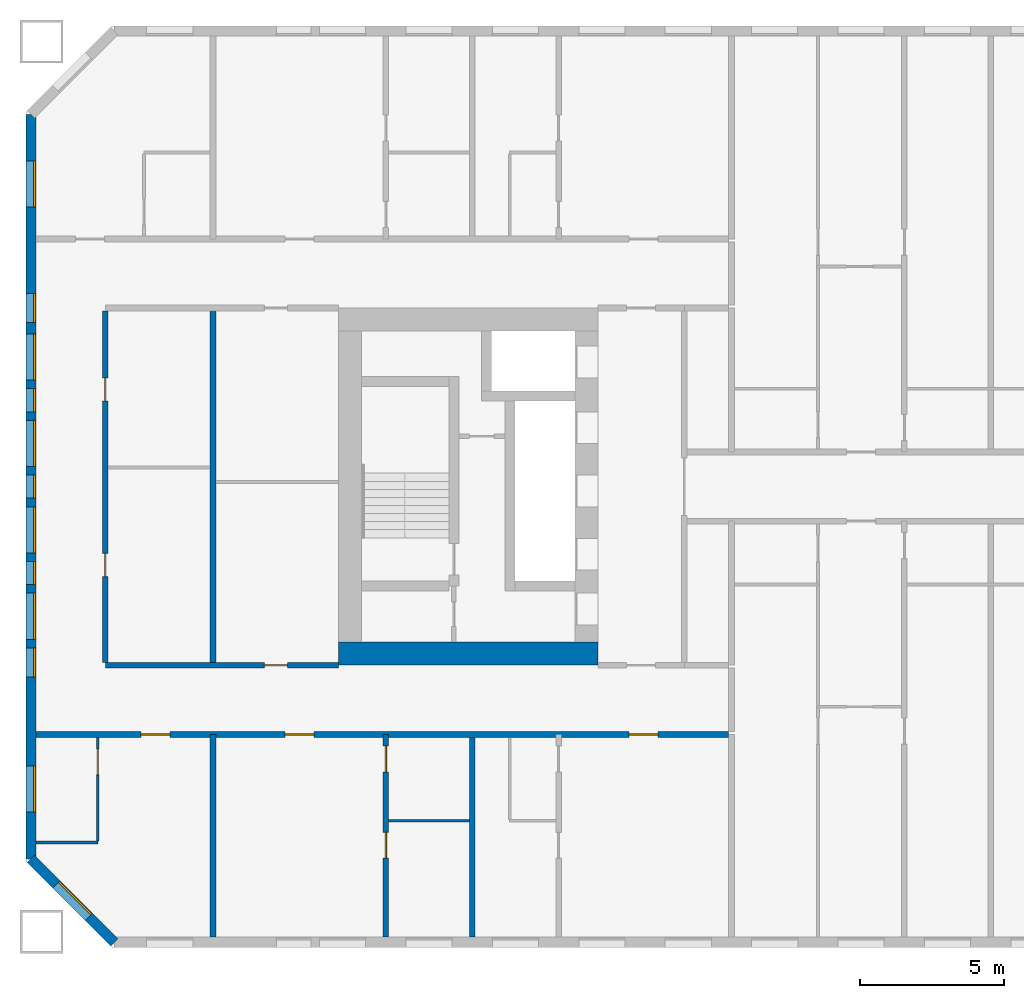
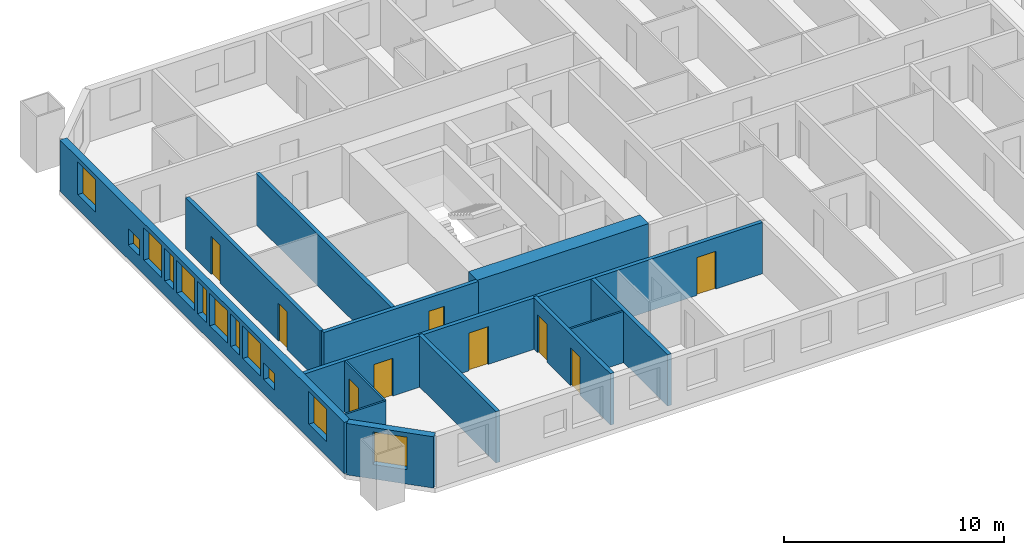
# One storey, part 2 of 17: 13 walls, 12 windows, 9 doors, 21 openings.
"""IFC4 building model written with IfcOpenShell, lengths in metres."""

from ifc_helpers import new_model, si_unit, direction, frame, frame_2d, origin, place, context, subcontext, project, spatial, rectangle, extrude, material, layer, layer_set, type_object, element, fill, save


model = new_model("IFC4")

# Units and contexts
model_context = context("Model", 3, precision=1e-05, world=origin(), true_north=direction((0.0, 1.0)))
body_context = subcontext(model_context, "Body", "Model", "MODEL_VIEW")
ifc_project = project(units=[si_unit("LENGTHUNIT", "METRE"), si_unit("AREAUNIT", "SQUARE_METRE"), si_unit("VOLUMEUNIT", "CUBIC_METRE"), si_unit("PLANEANGLEUNIT", "RADIAN"), si_unit("MASSUNIT", "GRAM", prefix="KILO")], contexts=[model_context])

# Site, building, storey
site_placement = place(None, origin())
site = spatial("IfcSite", under=ifc_project, at=site_placement, CompositionType="ELEMENT")
building_placement = place(site_placement, origin())
building = spatial("IfcBuilding", under=site, at=building_placement, Name="Tuart Gate Housing", CompositionType="ELEMENT")
storey_placement = place(building_placement, frame((0.0, 0.0, 47.39990234375)))
storey = spatial("IfcBuildingStorey", under=building, at=storey_placement, Name="L12", CompositionType="ELEMENT", Elevation=47.39990234375)

# Wall, opening, window
ifc_material_1 = material(Name="Brick", Category="masonry")
ifc_layer_1 = layer(ifc_material_1, 0.360107421875)
ifc_layer_set_1 = layer_set([ifc_layer_1], Name="Brick pier and spandrel wall 360")
wall_type_1 = type_object("IfcWallType", Name="Brick pier and spandrel wall 360", PredefinedType="STANDARD", material=ifc_layer_set_1)
wall_1_placement = place(storey_placement, frame((21.679931640625, 57.07470703125, 0.0), z_axis=(0.0, 0.0, 1.0), x_axis=(0.707106781187, -0.707106781187, 0.0)))
wall_1 = element("IfcWall", 1, at=wall_1_placement, inside=storey, type_object=wall_type_1, Name="External wall A-SW L12", PredefinedType="STANDARD", context=body_context, shape_type="SweptSolid", body=[
    extrude(rectangle(XDim=4.09375, YDim=0.360107421875, at=frame_2d((2.046875, 0.0))), origin(), (0.0, 0.0, 1.0), 2.85009765625),
])
opening_1_placement = place(wall_1_placement, frame((1.2470703125, 0.0, 0.800048828125)))
opening_1 = element("IfcOpeningElement", 2, at=opening_1_placement, cuts=wall_1, Name="Opening W1", PredefinedType="OPENING", context=body_context, shape_type="SweptSolid", body=[
    extrude(rectangle(XDim=1.60009765625, YDim=1.800048828125, at=frame_2d((0.800048828125, 0.89990234375))), frame((0.0, 0.18994140625, 0.0), z_axis=(0.0, -1.0, 0.0), x_axis=(1.0, 0.0, 0.0)), (0.0, 0.0, 1.0), 0.380126953125),
])
ifc_material_2 = material(Name="Aluminium frame with clear glass", Category="aluminium")
window_type_1 = type_object("IfcWindowType", Name="Punched window 1600 x 1800", PartitioningType="SINGLE_PANEL", PredefinedType="WINDOW", material=ifc_material_2)
window_1_placement = place(opening_1_placement, origin())
window_1 = element("IfcWindow", 3, at=window_1_placement, inside=storey, type_object=window_type_1, Name="Window W1", OverallHeight=1.800048828125, OverallWidth=1.60009765625, PartitioningType="SINGLE_PANEL", PredefinedType="WINDOW", context=body_context, shape_type="SweptSolid", body=[
    extrude(rectangle(XDim=1.60009765625, YDim=1.800048828125, at=frame_2d((0.800048828125, 0.89990234375))), frame((0.0, 0.150146484375, 0.0), z_axis=(0.0, -1.0, 0.0), x_axis=(1.0, 0.0, 0.0)), (0.0, 0.0, 1.0), 0.06005859375),
])
fill(opening_1, window_1)

# Wall, openings, windows
wall_2_placement = place(storey_placement, frame((21.679931640625, 82.92529296875, 0.0), z_axis=(0.0, 0.0, 1.0), x_axis=(0.0, -1.0, 0.0)))
wall_2 = element("IfcWall", 4, at=wall_2_placement, inside=storey, type_object=wall_type_1, Name="External wall A-W L12", PredefinedType="STANDARD", context=body_context, shape_type="SweptSolid", body=[
    extrude(rectangle(XDim=25.850830078125, YDim=0.360107421875, at=frame_2d((12.92529296875, 0.0))), origin(), (0.0, 0.0, 1.0), 2.85009765625),
])
opening_2_placement = place(wall_2_placement, frame((1.62548828125, 0.0, 0.800048828125)))
opening_2 = element("IfcOpeningElement", 5, at=opening_2_placement, cuts=wall_2, Name="Opening W1", PredefinedType="OPENING", context=body_context, shape_type="SweptSolid", body=[
    extrude(rectangle(XDim=1.60009765625, YDim=1.800048828125, at=frame_2d((0.800048828125, 0.89990234375))), frame((0.0, 0.18994140625, 0.0), z_axis=(0.0, -1.0, 0.0), x_axis=(1.0, 0.0, 0.0)), (0.0, 0.0, 1.0), 0.380126953125),
])
opening_3_placement = place(wall_2_placement, frame((6.225341796875, 0.0, 0.800048828125)))
opening_3 = element("IfcOpeningElement", 6, at=opening_3_placement, cuts=wall_2, Name="Opening W1U", PredefinedType="OPENING", context=body_context, shape_type="SweptSolid", body=[
    extrude(rectangle(XDim=1.0, YDim=0.89990234375, at=frame_2d((0.5, 0.449951171875))), frame((0.0, 0.18994140625, 0.0), z_axis=(0.0, -1.0, 0.0), x_axis=(1.0, 0.0, 0.0)), (0.0, 0.0, 1.0), 0.380126953125),
])
opening_4_placement = place(wall_2_placement, frame((7.62548828125, 0.0, 0.800048828125)))
opening_4 = element("IfcOpeningElement", 7, at=opening_4_placement, cuts=wall_2, Name="Opening W1", PredefinedType="OPENING", context=body_context, shape_type="SweptSolid", body=[
    extrude(rectangle(XDim=1.60009765625, YDim=1.800048828125, at=frame_2d((0.800048828125, 0.89990234375))), frame((0.0, 0.18994140625, 0.0), z_axis=(0.0, -1.0, 0.0), x_axis=(1.0, 0.0, 0.0)), (0.0, 0.0, 1.0), 0.380126953125),
])
opening_5_placement = place(wall_2_placement, frame((10.62548828125, 0.0, 0.800048828125)))
opening_5 = element("IfcOpeningElement", 8, at=opening_5_placement, cuts=wall_2, Name="Opening W1", PredefinedType="OPENING", context=body_context, shape_type="SweptSolid", body=[
    extrude(rectangle(XDim=1.60009765625, YDim=1.800048828125, at=frame_2d((0.800048828125, 0.89990234375))), frame((0.0, 0.18994140625, 0.0), z_axis=(0.0, -1.0, 0.0), x_axis=(1.0, 0.0, 0.0)), (0.0, 0.0, 1.0), 0.380126953125),
])
opening_6_placement = place(wall_2_placement, frame((13.62548828125, 0.0, 0.800048828125)))
opening_6 = element("IfcOpeningElement", 9, at=opening_6_placement, cuts=wall_2, Name="Opening W1", PredefinedType="OPENING", context=body_context, shape_type="SweptSolid", body=[
    extrude(rectangle(XDim=1.60009765625, YDim=1.800048828125, at=frame_2d((0.800048828125, 0.89990234375))), frame((0.0, 0.18994140625, 0.0), z_axis=(0.0, -1.0, 0.0), x_axis=(1.0, 0.0, 0.0)), (0.0, 0.0, 1.0), 0.380126953125),
])
opening_7_placement = place(wall_2_placement, frame((16.62548828125, 0.0, 0.800048828125)))
opening_7 = element("IfcOpeningElement", 10, at=opening_7_placement, cuts=wall_2, Name="Opening W1", PredefinedType="OPENING", context=body_context, shape_type="SweptSolid", body=[
    extrude(rectangle(XDim=1.60009765625, YDim=1.800048828125, at=frame_2d((0.800048828125, 0.89990234375))), frame((0.0, 0.18994140625, 0.0), z_axis=(0.0, -1.0, 0.0), x_axis=(1.0, 0.0, 0.0)), (0.0, 0.0, 1.0), 0.380126953125),
])
opening_8_placement = place(wall_2_placement, frame((9.525390625, 0.0, 0.800048828125)))
opening_8 = element("IfcOpeningElement", 11, at=opening_8_placement, cuts=wall_2, Name="Opening W1D", PredefinedType="OPENING", context=body_context, shape_type="SweptSolid", body=[
    extrude(rectangle(XDim=0.800048828125, YDim=1.800048828125, at=frame_2d((0.39990234375, 0.89990234375))), frame((0.0, 0.18994140625, 0.0), z_axis=(0.0, -1.0, 0.0), x_axis=(1.0, 0.0, 0.0)), (0.0, 0.0, 1.0), 0.380126953125),
])
opening_9_placement = place(wall_2_placement, frame((22.62548828125, 0.0, 0.800048828125)))
opening_9 = element("IfcOpeningElement", 12, at=opening_9_placement, cuts=wall_2, Name="Opening W1", PredefinedType="OPENING", context=body_context, shape_type="SweptSolid", body=[
    extrude(rectangle(XDim=1.60009765625, YDim=1.800048828125, at=frame_2d((0.800048828125, 0.89990234375))), frame((0.0, 0.18994140625, 0.0), z_axis=(0.0, -1.0, 0.0), x_axis=(1.0, 0.0, 0.0)), (0.0, 0.0, 1.0), 0.380126953125),
])
opening_10_placement = place(wall_2_placement, frame((12.525390625, 0.0, 0.800048828125)))
opening_10 = element("IfcOpeningElement", 13, at=opening_10_placement, cuts=wall_2, Name="Opening W1D", PredefinedType="OPENING", context=body_context, shape_type="SweptSolid", body=[
    extrude(rectangle(XDim=0.800048828125, YDim=1.800048828125, at=frame_2d((0.39990234375, 0.89990234375))), frame((0.0, 0.18994140625, 0.0), z_axis=(0.0, -1.0, 0.0), x_axis=(1.0, 0.0, 0.0)), (0.0, 0.0, 1.0), 0.380126953125),
])
opening_11_placement = place(wall_2_placement, frame((15.525390625, 0.0, 0.800048828125)))
opening_11 = element("IfcOpeningElement", 14, at=opening_11_placement, cuts=wall_2, Name="Opening W1D", PredefinedType="OPENING", context=body_context, shape_type="SweptSolid", body=[
    extrude(rectangle(XDim=0.800048828125, YDim=1.800048828125, at=frame_2d((0.39990234375, 0.89990234375))), frame((0.0, 0.18994140625, 0.0), z_axis=(0.0, -1.0, 0.0), x_axis=(1.0, 0.0, 0.0)), (0.0, 0.0, 1.0), 0.380126953125),
])
opening_12_placement = place(wall_2_placement, frame((18.525390625, 0.0, 0.800048828125)))
opening_12 = element("IfcOpeningElement", 15, at=opening_12_placement, cuts=wall_2, Name="Opening W1U", PredefinedType="OPENING", context=body_context, shape_type="SweptSolid", body=[
    extrude(rectangle(XDim=1.0, YDim=0.89990234375, at=frame_2d((0.5, 0.449951171875))), frame((0.0, 0.18994140625, 0.0), z_axis=(0.0, -1.0, 0.0), x_axis=(1.0, 0.0, 0.0)), (0.0, 0.0, 1.0), 0.380126953125),
])
ifc_material_3 = material(Name="Aluminium frame with clear glass", Category="aluminium")
window_type_2 = type_object("IfcWindowType", Name="Punched window 1000 x 900", PartitioningType="SINGLE_PANEL", PredefinedType="WINDOW", material=ifc_material_3)
window_2_placement = place(opening_3_placement, origin())
window_2 = element("IfcWindow", 16, at=window_2_placement, inside=storey, type_object=window_type_2, Name="Window W1U", OverallHeight=0.89990234375, OverallWidth=1.0, PartitioningType="SINGLE_PANEL", PredefinedType="WINDOW", context=body_context, shape_type="SweptSolid", body=[
    extrude(rectangle(XDim=1.0, YDim=0.89990234375, at=frame_2d((0.5, 0.449951171875))), frame((0.0, 0.150146484375, 0.0), z_axis=(0.0, -1.0, 0.0), x_axis=(1.0, 0.0, 0.0)), (0.0, 0.0, 1.0), 0.06005859375),
])
fill(opening_3, window_2)
window_3_placement = place(opening_12_placement, origin())
window_3 = element("IfcWindow", 17, at=window_3_placement, inside=storey, type_object=window_type_2, Name="Window W1U", OverallHeight=0.89990234375, OverallWidth=1.0, PartitioningType="SINGLE_PANEL", PredefinedType="WINDOW", context=body_context, shape_type="SweptSolid", body=[
    extrude(rectangle(XDim=1.0, YDim=0.89990234375, at=frame_2d((0.5, 0.449951171875))), frame((0.0, 0.150146484375, 0.0), z_axis=(0.0, -1.0, 0.0), x_axis=(1.0, 0.0, 0.0)), (0.0, 0.0, 1.0), 0.06005859375),
])
fill(opening_12, window_3)
window_4_placement = place(opening_2_placement, origin())
window_4 = element("IfcWindow", 18, at=window_4_placement, inside=storey, type_object=window_type_1, Name="Window W1", OverallHeight=1.800048828125, OverallWidth=1.60009765625, PartitioningType="SINGLE_PANEL", PredefinedType="WINDOW", context=body_context, shape_type="SweptSolid", body=[
    extrude(rectangle(XDim=1.60009765625, YDim=1.800048828125, at=frame_2d((0.800048828125, 0.89990234375))), frame((0.0, 0.150146484375, 0.0), z_axis=(0.0, -1.0, 0.0), x_axis=(1.0, 0.0, 0.0)), (0.0, 0.0, 1.0), 0.06005859375),
])
fill(opening_2, window_4)
window_5_placement = place(opening_4_placement, origin())
window_5 = element("IfcWindow", 19, at=window_5_placement, inside=storey, type_object=window_type_1, Name="Window W1", OverallHeight=1.800048828125, OverallWidth=1.60009765625, PartitioningType="SINGLE_PANEL", PredefinedType="WINDOW", context=body_context, shape_type="SweptSolid", body=[
    extrude(rectangle(XDim=1.60009765625, YDim=1.800048828125, at=frame_2d((0.800048828125, 0.89990234375))), frame((0.0, 0.150146484375, 0.0), z_axis=(0.0, -1.0, 0.0), x_axis=(1.0, 0.0, 0.0)), (0.0, 0.0, 1.0), 0.06005859375),
])
fill(opening_4, window_5)
window_6_placement = place(opening_5_placement, origin())
window_6 = element("IfcWindow", 20, at=window_6_placement, inside=storey, type_object=window_type_1, Name="Window W1", OverallHeight=1.800048828125, OverallWidth=1.60009765625, PartitioningType="SINGLE_PANEL", PredefinedType="WINDOW", context=body_context, shape_type="SweptSolid", body=[
    extrude(rectangle(XDim=1.60009765625, YDim=1.800048828125, at=frame_2d((0.800048828125, 0.89990234375))), frame((0.0, 0.150146484375, 0.0), z_axis=(0.0, -1.0, 0.0), x_axis=(1.0, 0.0, 0.0)), (0.0, 0.0, 1.0), 0.06005859375),
])
fill(opening_5, window_6)
window_7_placement = place(opening_6_placement, origin())
window_7 = element("IfcWindow", 21, at=window_7_placement, inside=storey, type_object=window_type_1, Name="Window W1", OverallHeight=1.800048828125, OverallWidth=1.60009765625, PartitioningType="SINGLE_PANEL", PredefinedType="WINDOW", context=body_context, shape_type="SweptSolid", body=[
    extrude(rectangle(XDim=1.60009765625, YDim=1.800048828125, at=frame_2d((0.800048828125, 0.89990234375))), frame((0.0, 0.150146484375, 0.0), z_axis=(0.0, -1.0, 0.0), x_axis=(1.0, 0.0, 0.0)), (0.0, 0.0, 1.0), 0.06005859375),
])
fill(opening_6, window_7)
window_8_placement = place(opening_7_placement, origin())
window_8 = element("IfcWindow", 22, at=window_8_placement, inside=storey, type_object=window_type_1, Name="Window W1", OverallHeight=1.800048828125, OverallWidth=1.60009765625, PartitioningType="SINGLE_PANEL", PredefinedType="WINDOW", context=body_context, shape_type="SweptSolid", body=[
    extrude(rectangle(XDim=1.60009765625, YDim=1.800048828125, at=frame_2d((0.800048828125, 0.89990234375))), frame((0.0, 0.150146484375, 0.0), z_axis=(0.0, -1.0, 0.0), x_axis=(1.0, 0.0, 0.0)), (0.0, 0.0, 1.0), 0.06005859375),
])
fill(opening_7, window_8)
window_9_placement = place(opening_9_placement, origin())
window_9 = element("IfcWindow", 23, at=window_9_placement, inside=storey, type_object=window_type_1, Name="Window W1", OverallHeight=1.800048828125, OverallWidth=1.60009765625, PartitioningType="SINGLE_PANEL", PredefinedType="WINDOW", context=body_context, shape_type="SweptSolid", body=[
    extrude(rectangle(XDim=1.60009765625, YDim=1.800048828125, at=frame_2d((0.800048828125, 0.89990234375))), frame((0.0, 0.150146484375, 0.0), z_axis=(0.0, -1.0, 0.0), x_axis=(1.0, 0.0, 0.0)), (0.0, 0.0, 1.0), 0.06005859375),
])
fill(opening_9, window_9)
ifc_material_4 = material(Name="Aluminium frame with clear glass", Category="aluminium")
window_type_3 = type_object("IfcWindowType", Name="Punched window 800 x 1800", PartitioningType="SINGLE_PANEL", PredefinedType="WINDOW", material=ifc_material_4)
window_10_placement = place(opening_8_placement, origin())
window_10 = element("IfcWindow", 24, at=window_10_placement, inside=storey, type_object=window_type_3, Name="Window W1D", OverallHeight=1.800048828125, OverallWidth=0.800048828125, PartitioningType="SINGLE_PANEL", PredefinedType="WINDOW", context=body_context, shape_type="SweptSolid", body=[
    extrude(rectangle(XDim=0.800048828125, YDim=1.800048828125, at=frame_2d((0.39990234375, 0.89990234375))), frame((0.0, 0.150146484375, 0.0), z_axis=(0.0, -1.0, 0.0), x_axis=(1.0, 0.0, 0.0)), (0.0, 0.0, 1.0), 0.06005859375),
])
fill(opening_8, window_10)
window_11_placement = place(opening_10_placement, origin())
window_11 = element("IfcWindow", 25, at=window_11_placement, inside=storey, type_object=window_type_3, Name="Window W1D", OverallHeight=1.800048828125, OverallWidth=0.800048828125, PartitioningType="SINGLE_PANEL", PredefinedType="WINDOW", context=body_context, shape_type="SweptSolid", body=[
    extrude(rectangle(XDim=0.800048828125, YDim=1.800048828125, at=frame_2d((0.39990234375, 0.89990234375))), frame((0.0, 0.150146484375, 0.0), z_axis=(0.0, -1.0, 0.0), x_axis=(1.0, 0.0, 0.0)), (0.0, 0.0, 1.0), 0.06005859375),
])
fill(opening_10, window_11)
window_12_placement = place(opening_11_placement, origin())
window_12 = element("IfcWindow", 26, at=window_12_placement, inside=storey, type_object=window_type_3, Name="Window W1D", OverallHeight=1.800048828125, OverallWidth=0.800048828125, PartitioningType="SINGLE_PANEL", PredefinedType="WINDOW", context=body_context, shape_type="SweptSolid", body=[
    extrude(rectangle(XDim=0.800048828125, YDim=1.800048828125, at=frame_2d((0.39990234375, 0.89990234375))), frame((0.0, 0.150146484375, 0.0), z_axis=(0.0, -1.0, 0.0), x_axis=(1.0, 0.0, 0.0)), (0.0, 0.0, 1.0), 0.06005859375),
])
fill(opening_11, window_12)

# Wall
ifc_material_5 = material(Name="Concrete C60", Category="concrete")
ifc_layer_2 = layer(ifc_material_5, 0.800048828125)
ifc_layer_set_2 = layer_set([ifc_layer_2], Name="Core wall 800 C60")
wall_type_2 = type_object("IfcWallType", Name="Core wall 800 C60", PredefinedType="SHEAR", material=ifc_layer_set_2)
wall_3_placement = place(storey_placement, frame((41.360107421875, 64.199951171875, 0.0), z_axis=(0.0, 0.0, 1.0), x_axis=(-1.0, 0.0, 0.0)))
element("IfcWall", 27, at=wall_3_placement, inside=storey, type_object=wall_type_2, Name="Core wall AK north", PredefinedType="SHEAR", context=body_context, shape_type="SweptSolid", body=[
    extrude(rectangle(XDim=9.0, YDim=0.800048828125, at=frame_2d((4.5, 0.0))), origin(), (0.0, 0.0, 1.0), 2.85009765625),
])

# Wall, openings, doors
ifc_material_6 = material(Name="Concrete masonry 15 MPa", Category="masonry")
ifc_layer_3 = layer(ifc_material_6, 0.199951171875)
ifc_layer_set_3 = layer_set([ifc_layer_3], Name="Corridor wall masonry 200")
wall_type_3 = type_object("IfcWallType", Name="Corridor wall masonry 200", PredefinedType="PARTITIONING", material=ifc_layer_set_3)
wall_4_placement = place(storey_placement, frame((21.860107421875, 61.39990234375, 0.0), z_axis=(0.0, 0.0, 1.0), x_axis=(1.0, 0.0, 0.0)))
wall_4 = element("IfcWall", 28, at=wall_4_placement, inside=storey, type_object=wall_type_3, Name="Corridor wall masonry 200", PredefinedType="PARTITIONING", context=body_context, shape_type="SweptSolid", body=[
    extrude(rectangle(XDim=24.039794921875, YDim=0.199951171875, at=frame_2d((12.02001953125, 0.0))), origin(), (0.0, 0.0, 1.0), 2.85009765625),
])
opening_13_placement = place(wall_4_placement, frame((20.590087890625, 0.0, 0.0)))
opening_13 = element("IfcOpeningElement", 29, at=opening_13_placement, cuts=wall_4, Name="Opening D644", PredefinedType="OPENING", context=body_context, shape_type="SweptSolid", body=[
    extrude(rectangle(XDim=1.0, YDim=2.10009765625, at=frame_2d((0.5, 1.050048828125))), frame((0.0, 0.10986328125, 0.0), z_axis=(0.0, -1.0, 0.0), x_axis=(1.0, 0.0, 0.0)), (0.0, 0.0, 1.0), 0.219970703125),
])
opening_14_placement = place(wall_4_placement, frame((8.639892578125, 0.0, 0.0)))
opening_14 = element("IfcOpeningElement", 30, at=opening_14_placement, cuts=wall_4, Name="Opening D645", PredefinedType="OPENING", context=body_context, shape_type="SweptSolid", body=[
    extrude(rectangle(XDim=1.0, YDim=2.10009765625, at=frame_2d((0.5, 1.050048828125))), frame((0.0, 0.10986328125, 0.0), z_axis=(0.0, -1.0, 0.0), x_axis=(1.0, 0.0, 0.0)), (0.0, 0.0, 1.0), 0.219970703125),
])
opening_15_placement = place(wall_4_placement, frame((3.639892578125, 0.0, 0.0)))
opening_15 = element("IfcOpeningElement", 31, at=opening_15_placement, cuts=wall_4, Name="Opening D646", PredefinedType="OPENING", context=body_context, shape_type="SweptSolid", body=[
    extrude(rectangle(XDim=1.0, YDim=2.10009765625, at=frame_2d((0.5, 1.050048828125))), frame((0.0, 0.10986328125, 0.0), z_axis=(0.0, -1.0, 0.0), x_axis=(1.0, 0.0, 0.0)), (0.0, 0.0, 1.0), 0.219970703125),
])
ifc_material_7 = material(Name="Timber door leaf in steel frame", Category="steel")
door_type_1 = type_object("IfcDoorType", Name="Flat entrance door 1000 RH", OperationType="SINGLE_SWING_RIGHT", PredefinedType="DOOR", material=ifc_material_7)
door_1_placement = place(opening_13_placement, frame((1.0, 0.0, 0.0), z_axis=(0.0, 0.0, 1.0), x_axis=(-1.0, 0.0, 0.0)))
door_1 = element("IfcDoor", 32, at=door_1_placement, inside=storey, type_object=door_type_1, Name="Flat entrance door", OperationType="SINGLE_SWING_RIGHT", OverallHeight=2.10009765625, OverallWidth=1.0, PredefinedType="DOOR", context=body_context, shape_type="SweptSolid", body=[
    extrude(rectangle(XDim=1.0, YDim=2.10009765625, at=frame_2d((0.5, 1.050048828125))), frame((0.0, 0.025146484375, 0.0), z_axis=(0.0, -1.0, 0.0), x_axis=(1.0, 0.0, 0.0)), (0.0, 0.0, 1.0), 0.050048828125),
])
fill(opening_13, door_1)
door_2_placement = place(opening_14_placement, frame((1.0, 0.0, 0.0), z_axis=(0.0, 0.0, 1.0), x_axis=(-1.0, 0.0, 0.0)))
door_2 = element("IfcDoor", 33, at=door_2_placement, inside=storey, type_object=door_type_1, Name="Flat entrance door", OperationType="SINGLE_SWING_RIGHT", OverallHeight=2.10009765625, OverallWidth=1.0, PredefinedType="DOOR", context=body_context, shape_type="SweptSolid", body=[
    extrude(rectangle(XDim=1.0, YDim=2.10009765625, at=frame_2d((0.5, 1.050048828125))), frame((0.0, 0.025146484375, 0.0), z_axis=(0.0, -1.0, 0.0), x_axis=(1.0, 0.0, 0.0)), (0.0, 0.0, 1.0), 0.050048828125),
])
fill(opening_14, door_2)
door_3_placement = place(opening_15_placement, frame((1.0, 0.0, 0.0), z_axis=(0.0, 0.0, 1.0), x_axis=(-1.0, 0.0, 0.0)))
door_3 = element("IfcDoor", 34, at=door_3_placement, inside=storey, type_object=door_type_1, Name="Flat entrance door", OperationType="SINGLE_SWING_RIGHT", OverallHeight=2.10009765625, OverallWidth=1.0, PredefinedType="DOOR", context=body_context, shape_type="SweptSolid", body=[
    extrude(rectangle(XDim=1.0, YDim=2.10009765625, at=frame_2d((0.5, 1.050048828125))), frame((0.0, 0.025146484375, 0.0), z_axis=(0.0, -1.0, 0.0), x_axis=(1.0, 0.0, 0.0)), (0.0, 0.0, 1.0), 0.050048828125),
])
fill(opening_15, door_3)

# Wall, opening, door
wall_5_placement = place(storey_placement, frame((24.260009765625, 63.800048828125, 0.0), z_axis=(0.0, 0.0, 1.0), x_axis=(1.0, 0.0, 0.0)))
wall_5 = element("IfcWall", 35, at=wall_5_placement, inside=storey, type_object=wall_type_3, Name="Corridor wall masonry 200", PredefinedType="PARTITIONING", context=body_context, shape_type="SweptSolid", body=[
    extrude(rectangle(XDim=8.10009765625, YDim=0.199951171875, at=frame_2d((4.050048828125, 0.0))), origin(), (0.0, 0.0, 1.0), 2.85009765625),
])
opening_16_placement = place(wall_5_placement, frame((5.52001953125, 0.0, 0.0)))
opening_16 = element("IfcOpeningElement", 36, at=opening_16_placement, cuts=wall_5, Name="Opening D631", PredefinedType="OPENING", context=body_context, shape_type="SweptSolid", body=[
    extrude(rectangle(XDim=0.800048828125, YDim=2.10009765625, at=frame_2d((0.39990234375, 1.050048828125))), frame((0.0, 0.10986328125, 0.0), z_axis=(0.0, -1.0, 0.0), x_axis=(1.0, 0.0, 0.0)), (0.0, 0.0, 1.0), 0.219970703125),
])
ifc_material_8 = material(Name="Timber door leaf in steel frame", Category="steel")
door_type_2 = type_object("IfcDoorType", Name="Store door 800", OperationType="SINGLE_SWING_LEFT", PredefinedType="DOOR", material=ifc_material_8)
door_4_placement = place(opening_16_placement, origin())
door_4 = element("IfcDoor", 37, at=door_4_placement, inside=storey, type_object=door_type_2, Name="Store door", OperationType="SINGLE_SWING_LEFT", OverallHeight=2.10009765625, OverallWidth=0.800048828125, PredefinedType="DOOR", context=body_context, shape_type="SweptSolid", body=[
    extrude(rectangle(XDim=0.800048828125, YDim=2.10009765625, at=frame_2d((0.39990234375, 1.050048828125))), frame((0.0, 0.02490234375, 0.0), z_axis=(0.0, -1.0, 0.0), x_axis=(1.0, 0.0, 0.0)), (0.0, 0.0, 1.0), 0.050048828125),
])
fill(opening_16, door_4)

# Wall, openings, doors
wall_6_placement = place(storey_placement, frame((24.260009765625, 63.89990234375, 0.0), z_axis=(0.0, 0.0, 1.0), x_axis=(0.0, 1.0, 0.0)))
wall_6 = element("IfcWall", 38, at=wall_6_placement, inside=storey, type_object=wall_type_3, Name="Corridor wall masonry 200", PredefinedType="PARTITIONING", context=body_context, shape_type="SweptSolid", body=[
    extrude(rectangle(XDim=12.2001953125, YDim=0.199951171875, at=frame_2d((6.10009765625, 0.0))), origin(), (0.0, 0.0, 1.0), 2.85009765625),
])
opening_17_placement = place(wall_6_placement, frame((2.97998046875, 0.0, 0.0)))
opening_17 = element("IfcOpeningElement", 39, at=opening_17_placement, cuts=wall_6, Name="Opening D620", PredefinedType="OPENING", context=body_context, shape_type="SweptSolid", body=[
    extrude(rectangle(XDim=0.800048828125, YDim=2.10009765625, at=frame_2d((0.39990234375, 1.050048828125))), frame((0.0, 0.10986328125, 0.0), z_axis=(0.0, -1.0, 0.0), x_axis=(1.0, 0.0, 0.0)), (0.0, 0.0, 1.0), 0.219970703125),
])
opening_18_placement = place(wall_6_placement, frame((9.080078125, 0.0, 0.0)))
opening_18 = element("IfcOpeningElement", 40, at=opening_18_placement, cuts=wall_6, Name="Opening D621", PredefinedType="OPENING", context=body_context, shape_type="SweptSolid", body=[
    extrude(rectangle(XDim=0.800048828125, YDim=2.10009765625, at=frame_2d((0.39990234375, 1.050048828125))), frame((0.0, 0.10986328125, 0.0), z_axis=(0.0, -1.0, 0.0), x_axis=(1.0, 0.0, 0.0)), (0.0, 0.0, 1.0), 0.219970703125),
])
door_5_placement = place(opening_17_placement, frame((0.800048828125, 0.0, 0.0), z_axis=(0.0, 0.0, 1.0), x_axis=(-1.0, 0.0, 0.0)))
door_5 = element("IfcDoor", 41, at=door_5_placement, inside=storey, type_object=door_type_2, Name="Store door", OperationType="SINGLE_SWING_LEFT", OverallHeight=2.10009765625, OverallWidth=0.800048828125, PredefinedType="DOOR", context=body_context, shape_type="SweptSolid", body=[
    extrude(rectangle(XDim=0.800048828125, YDim=2.10009765625, at=frame_2d((0.400146484375, 1.050048828125))), frame((0.0, 0.025146484375, 0.0), z_axis=(0.0, -1.0, 0.0), x_axis=(1.0, 0.0, 0.0)), (0.0, 0.0, 1.0), 0.050048828125),
])
fill(opening_17, door_5)
ifc_material_9 = material(Name="Timber door leaf in steel frame", Category="steel")
door_type_3 = type_object("IfcDoorType", Name="Store door 800 RH", OperationType="SINGLE_SWING_RIGHT", PredefinedType="DOOR", material=ifc_material_9)
door_6_placement = place(opening_18_placement, frame((0.800048828125, 0.0, 0.0), z_axis=(0.0, 0.0, 1.0), x_axis=(-1.0, 0.0, 0.0)))
door_6 = element("IfcDoor", 42, at=door_6_placement, inside=storey, type_object=door_type_3, Name="Store door", OperationType="SINGLE_SWING_RIGHT", OverallHeight=2.10009765625, OverallWidth=0.800048828125, PredefinedType="DOOR", context=body_context, shape_type="SweptSolid", body=[
    extrude(rectangle(XDim=0.800048828125, YDim=2.10009765625, at=frame_2d((0.400146484375, 1.050048828125))), frame((0.0, 0.025146484375, 0.0), z_axis=(0.0, -1.0, 0.0), x_axis=(1.0, 0.0, 0.0)), (0.0, 0.0, 1.0), 0.050048828125),
])
fill(opening_18, door_6)

# Walls
ifc_material_10 = material(Name="Gypsum board on steel studs", Category="steel")
ifc_layer_4 = layer(ifc_material_10, 0.10009765625)
ifc_layer_set_4 = layer_set([ifc_layer_4], Name="Partition 100")
wall_type_4 = type_object("IfcWallType", Name="Partition 100", PredefinedType="PARTITIONING", material=ifc_layer_set_4)
wall_7_placement = place(storey_placement, frame((21.860107421875, 57.64990234375, 0.0), z_axis=(0.0, 0.0, 1.0), x_axis=(1.0, 0.0, 0.0)))
element("IfcWall", 43, at=wall_7_placement, inside=storey, type_object=wall_type_4, Name="Partition 100", PredefinedType="PARTITIONING", context=body_context, shape_type="SweptSolid", body=[
    extrude(rectangle(XDim=2.139892578125, YDim=0.10009765625, at=frame_2d((1.06982421875, 0.0))), origin(), (0.0, 0.0, 1.0), 2.85009765625),
])
wall_8_placement = place(storey_placement, frame((34.10009765625, 58.39990234375, 0.0), z_axis=(0.0, 0.0, 1.0), x_axis=(1.0, 0.0, 0.0)))
element("IfcWall", 44, at=wall_8_placement, inside=storey, type_object=wall_type_4, Name="Partition 100", PredefinedType="PARTITIONING", context=body_context, shape_type="SweptSolid", body=[
    extrude(rectangle(XDim=2.7998046875, YDim=0.10009765625, at=frame_2d((1.39990234375, 0.0))), origin(), (0.0, 0.0, 1.0), 2.85009765625),
])

# Wall, opening, door
wall_9_placement = place(storey_placement, frame((24.0, 57.699951171875, 0.0), z_axis=(0.0, 0.0, 1.0), x_axis=(0.0, 1.0, 0.0)))
wall_9 = element("IfcWall", 45, at=wall_9_placement, inside=storey, type_object=wall_type_4, Name="Partition 100", PredefinedType="PARTITIONING", context=body_context, shape_type="SweptSolid", body=[
    extrude(rectangle(XDim=3.60009765625, YDim=0.10009765625, at=frame_2d((1.800048828125, 0.0))), origin(), (0.0, 0.0, 1.0), 2.85009765625),
])
opening_19_placement = place(wall_9_placement, frame((2.300048828125, 0.0, 0.0)))
opening_19 = element("IfcOpeningElement", 46, at=opening_19_placement, cuts=wall_9, Name="Opening D649", PredefinedType="OPENING", context=body_context, shape_type="SweptSolid", body=[
    extrude(rectangle(XDim=0.89990234375, YDim=2.10009765625, at=frame_2d((0.449951171875, 1.050048828125))), frame((0.0, 0.06005859375, 0.0), z_axis=(0.0, -1.0, 0.0), x_axis=(1.0, 0.0, 0.0)), (0.0, 0.0, 1.0), 0.1201171875),
])
ifc_material_11 = material(Name="Timber door leaf in steel frame", Category="steel")
door_type_4 = type_object("IfcDoorType", Name="Bathroom door 900 RH", OperationType="SINGLE_SWING_RIGHT", PredefinedType="DOOR", material=ifc_material_11)
door_7_placement = place(opening_19_placement, origin())
door_7 = element("IfcDoor", 47, at=door_7_placement, inside=storey, type_object=door_type_4, Name="Bathroom door", OperationType="SINGLE_SWING_RIGHT", OverallHeight=2.10009765625, OverallWidth=0.89990234375, PredefinedType="DOOR", context=body_context, shape_type="SweptSolid", body=[
    extrude(rectangle(XDim=0.89990234375, YDim=2.10009765625, at=frame_2d((0.449951171875, 1.050048828125))), frame((0.0, 0.02490234375, 0.0), z_axis=(0.0, -1.0, 0.0), x_axis=(1.0, 0.0, 0.0)), (0.0, 0.0, 1.0), 0.050048828125),
])
fill(opening_19, door_7)

# Walls
ifc_material_12 = material(Name="Concrete C40", Category="concrete")
ifc_layer_5 = layer(ifc_material_12, 0.199951171875)
ifc_layer_set_5 = layer_set([ifc_layer_5], Name="Party wall concrete C40 200")
wall_type_5 = type_object("IfcWallType", Name="Party wall concrete C40 200", PredefinedType="SOLIDWALL", material=ifc_layer_set_5)
wall_10_placement = place(storey_placement, frame((28.0, 54.360107421875, 0.0), z_axis=(0.0, 0.0, 1.0), x_axis=(0.0, 1.0, 0.0)))
element("IfcWall", 48, at=wall_10_placement, inside=storey, type_object=wall_type_5, Name="Party wall concrete C40 200", PredefinedType="SOLIDWALL", context=body_context, shape_type="SweptSolid", body=[
    extrude(rectangle(XDim=7.039794921875, YDim=0.199951171875, at=frame_2d((3.52001953125, 0.0))), origin(), (0.0, 0.0, 1.0), 2.85009765625),
])
wall_11_placement = place(storey_placement, frame((28.0, 63.800048828125, 0.0), z_axis=(0.0, 0.0, 1.0), x_axis=(0.0, 1.0, 0.0)))
element("IfcWall", 49, at=wall_11_placement, inside=storey, type_object=wall_type_5, Name="Party wall concrete C40 200", PredefinedType="SOLIDWALL", context=body_context, shape_type="SweptSolid", body=[
    extrude(rectangle(XDim=12.39990234375, YDim=0.199951171875, at=frame_2d((6.199951171875, 0.0))), origin(), (0.0, 0.0, 1.0), 2.85009765625),
])

# Wall, openings, doors
wall_12_placement = place(storey_placement, frame((34.0, 54.360107421875, 0.0), z_axis=(0.0, 0.0, 1.0), x_axis=(0.0, 1.0, 0.0)))
wall_12 = element("IfcWall", 50, at=wall_12_placement, inside=storey, type_object=wall_type_5, Name="Party wall concrete C40 200", PredefinedType="SOLIDWALL", context=body_context, shape_type="SweptSolid", body=[
    extrude(rectangle(XDim=7.039794921875, YDim=0.199951171875, at=frame_2d((3.52001953125, 0.0))), origin(), (0.0, 0.0, 1.0), 2.85009765625),
])
opening_20_placement = place(wall_12_placement, frame((2.739990234375, 0.0, 0.0)))
opening_20 = element("IfcOpeningElement", 51, at=opening_20_placement, cuts=wall_12, Name="Opening D653", PredefinedType="OPENING", context=body_context, shape_type="SweptSolid", body=[
    extrude(rectangle(XDim=0.89990234375, YDim=2.10009765625, at=frame_2d((0.449951171875, 1.050048828125))), frame((0.0, 0.10986328125, 0.0), z_axis=(0.0, -1.0, 0.0), x_axis=(1.0, 0.0, 0.0)), (0.0, 0.0, 1.0), 0.219970703125),
])
opening_21_placement = place(wall_12_placement, frame((5.739990234375, 0.0, 0.0)))
opening_21 = element("IfcOpeningElement", 52, at=opening_21_placement, cuts=wall_12, Name="Opening D652", PredefinedType="OPENING", context=body_context, shape_type="SweptSolid", body=[
    extrude(rectangle(XDim=0.89990234375, YDim=2.10009765625, at=frame_2d((0.449951171875, 1.050048828125))), frame((0.0, 0.10986328125, 0.0), z_axis=(0.0, -1.0, 0.0), x_axis=(1.0, 0.0, 0.0)), (0.0, 0.0, 1.0), 0.219970703125),
])
ifc_material_13 = material(Name="Timber door leaf in steel frame", Category="steel")
door_type_5 = type_object("IfcDoorType", Name="Bathroom door 900", OperationType="SINGLE_SWING_LEFT", PredefinedType="DOOR", material=ifc_material_13)
door_8_placement = place(opening_21_placement, frame((0.89990234375, 0.0, 0.0), z_axis=(0.0, 0.0, 1.0), x_axis=(-1.0, 0.0, 0.0)))
door_8 = element("IfcDoor", 53, at=door_8_placement, inside=storey, type_object=door_type_5, Name="Bathroom door", OperationType="SINGLE_SWING_LEFT", OverallHeight=2.10009765625, OverallWidth=0.89990234375, PredefinedType="DOOR", context=body_context, shape_type="SweptSolid", body=[
    extrude(rectangle(XDim=0.89990234375, YDim=2.10009765625, at=frame_2d((0.449951171875, 1.050048828125))), frame((0.0, 0.025146484375, 0.0), z_axis=(0.0, -1.0, 0.0), x_axis=(1.0, 0.0, 0.0)), (0.0, 0.0, 1.0), 0.050048828125),
])
fill(opening_21, door_8)
ifc_material_14 = material(Name="Timber door leaf in steel frame", Category="steel")
door_type_6 = type_object("IfcDoorType", Name="Internal door 900", OperationType="SINGLE_SWING_LEFT", PredefinedType="DOOR", material=ifc_material_14)
door_9_placement = place(opening_20_placement, frame((0.89990234375, 0.0, 0.0), z_axis=(0.0, 0.0, 1.0), x_axis=(-1.0, 0.0, 0.0)))
door_9 = element("IfcDoor", 54, at=door_9_placement, inside=storey, type_object=door_type_6, Name="Internal door", OperationType="SINGLE_SWING_LEFT", OverallHeight=2.10009765625, OverallWidth=0.89990234375, PredefinedType="DOOR", context=body_context, shape_type="SweptSolid", body=[
    extrude(rectangle(XDim=0.89990234375, YDim=2.10009765625, at=frame_2d((0.449951171875, 1.050048828125))), frame((0.0, 0.025146484375, 0.0), z_axis=(0.0, -1.0, 0.0), x_axis=(1.0, 0.0, 0.0)), (0.0, 0.0, 1.0), 0.050048828125),
])
fill(opening_20, door_9)

# Wall
ifc_material_15 = material(Name="Concrete masonry 15 MPa", Category="masonry")
ifc_layer_6 = layer(ifc_material_15, 0.199951171875)
ifc_layer_set_6 = layer_set([ifc_layer_6], Name="Party wall masonry 200")
wall_type_6 = type_object("IfcWallType", Name="Party wall masonry 200", PredefinedType="PARTITIONING", material=ifc_layer_set_6)
wall_13_placement = place(storey_placement, frame((37.0, 54.360107421875, 0.0), z_axis=(0.0, 0.0, 1.0), x_axis=(0.0, 1.0, 0.0)))
element("IfcWall", 55, at=wall_13_placement, inside=storey, type_object=wall_type_6, Name="Party wall masonry 200", PredefinedType="PARTITIONING", context=body_context, shape_type="SweptSolid", body=[
    extrude(rectangle(XDim=6.93994140625, YDim=0.199951171875, at=frame_2d((3.469970703125, 0.0))), origin(), (0.0, 0.0, 1.0), 2.85009765625),
])

save(model, "model.ifc")
